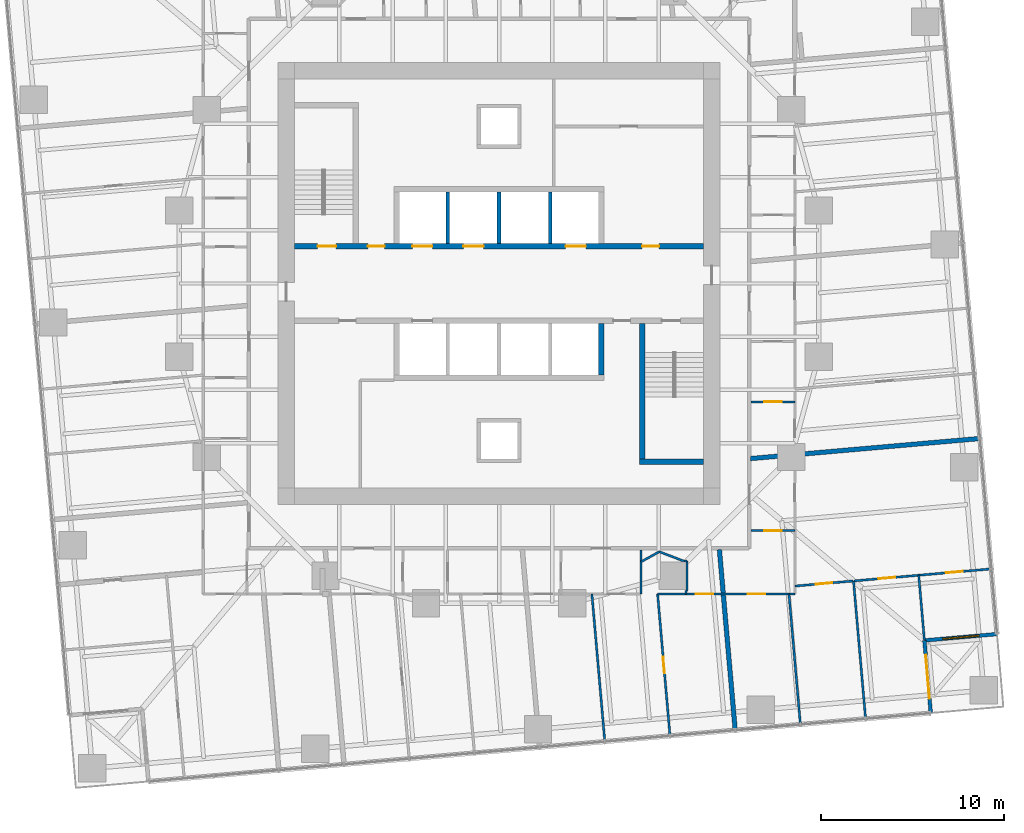
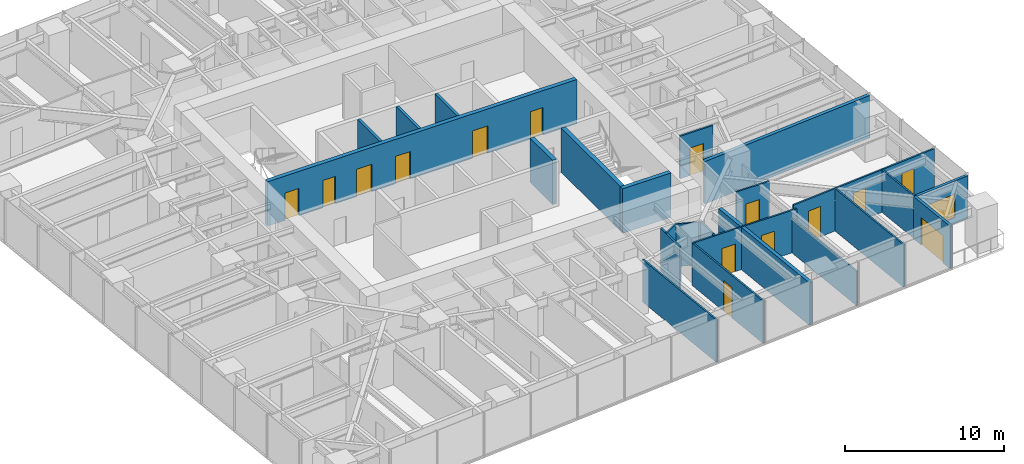
# One storey, part 10 of 14: 27 walls, 15 doors, 1 window, 16 openings.
"""IFC4 building model written with IfcOpenShell, lengths in metres."""

from ifc_helpers import new_model, si_unit, direction, frame, frame_2d, origin, place, context, subcontext, project, spatial, rectangle, extrude, material, layer, layer_set, type_object, element, fill, save


model = new_model("IFC4")

# Units and contexts
model_context = context("Model", 3, precision=1e-05, world=origin(), true_north=direction((0.0, 1.0)))
body_context = subcontext(model_context, "Body", "Model", "MODEL_VIEW")
ifc_project = project(units=[si_unit("LENGTHUNIT", "METRE"), si_unit("AREAUNIT", "SQUARE_METRE"), si_unit("VOLUMEUNIT", "CUBIC_METRE"), si_unit("PLANEANGLEUNIT", "RADIAN"), si_unit("MASSUNIT", "GRAM", prefix="KILO")], contexts=[model_context])

# Site, building, storey
site_placement = place(None, origin())
site = spatial("IfcSite", under=ifc_project, at=site_placement, CompositionType="ELEMENT")
building_placement = place(site_placement, origin())
building = spatial("IfcBuilding", under=site, at=building_placement, Name="Torsade Residences", CompositionType="ELEMENT")
storey_placement = place(building_placement, frame((0.0, 0.0, 60.800048828125)))
storey = spatial("IfcBuildingStorey", under=building, at=storey_placement, Name="L16", CompositionType="ELEMENT", Elevation=60.800048828125)

# Wall, openings, doors
ifc_material_1 = material(Name="Concrete 80 MPa", Category="concrete")
ifc_layer_1 = layer(ifc_material_1, 0.300048828125)
ifc_layer_set_1 = layer_set([ifc_layer_1], Name="Concrete 80 MPa")
wall_type_1 = type_object("IfcWallType", Name="CORE INTERNAL WALL 300", PredefinedType="SHEAR", material=ifc_layer_set_1)
wall_1_placement = place(storey_placement, frame((28.800048828125, 32.050048828125, 0.0), z_axis=(0.0, 0.0, 1.0), x_axis=(1.0, 0.0, 0.0)))
wall_1 = element("IfcWall", 1, at=wall_1_placement, inside=storey, type_object=wall_type_1, Name="Core wall LN L16", PredefinedType="SHEAR", context=body_context, shape_type="SweptSolid", body=[
    extrude(rectangle(XDim=22.39990234375, YDim=0.300048828125, at=frame_2d((11.199951171875, 0.0))), origin(), (0.0, 0.0, 1.0), 3.39990234375),
])
opening_1_placement = place(wall_1_placement, frame((19.0400390625, 0.0, 0.0)))
opening_1 = element("IfcOpeningElement", 2, at=opening_1_placement, cuts=wall_1, Name="Opening D06", PredefinedType="OPENING", context=body_context, shape_type="SweptSolid", body=[
    extrude(rectangle(XDim=0.919921875, YDim=2.10009765625, at=frame_2d((0.4599609375, 1.050048828125))), frame((0.0, 0.159912109375, 0.0), z_axis=(0.0, -1.0, 0.0), x_axis=(1.0, 0.0, 0.0)), (0.0, 0.0, 1.0), 0.320068359375),
])
opening_2_placement = place(wall_1_placement, frame((1.264892578125, 0.0, 0.0)))
opening_2 = element("IfcOpeningElement", 3, at=opening_2_placement, cuts=wall_1, Name="Opening D03", PredefinedType="OPENING", context=body_context, shape_type="SweptSolid", body=[
    extrude(rectangle(XDim=1.02001953125, YDim=2.10009765625, at=frame_2d((0.510009765625, 1.050048828125))), frame((0.0, 0.159912109375, 0.0), z_axis=(0.0, -1.0, 0.0), x_axis=(1.0, 0.0, 0.0)), (0.0, 0.0, 1.0), 0.320068359375),
])
opening_3_placement = place(wall_1_placement, frame((4.014892578125, 0.0, 0.0)))
opening_3 = element("IfcOpeningElement", 4, at=opening_3_placement, cuts=wall_1, Name="Opening D06", PredefinedType="OPENING", context=body_context, shape_type="SweptSolid", body=[
    extrude(rectangle(XDim=0.919921875, YDim=2.10009765625, at=frame_2d((0.4599609375, 1.050048828125))), frame((0.0, 0.159912109375, 0.0), z_axis=(0.0, -1.0, 0.0), x_axis=(1.0, 0.0, 0.0)), (0.0, 0.0, 1.0), 0.320068359375),
])
opening_4_placement = place(wall_1_placement, frame((6.449951171875, 0.0, 0.0)))
opening_4 = element("IfcOpeningElement", 5, at=opening_4_placement, cuts=wall_1, Name="Opening LD", PredefinedType="OPENING", context=body_context, shape_type="SweptSolid", body=[
    extrude(rectangle(XDim=1.10009765625, YDim=2.10009765625, at=frame_2d((0.550048828125, 1.050048828125))), frame((0.0, 0.159912109375, 0.0), z_axis=(0.0, -1.0, 0.0), x_axis=(1.0, 0.0, 0.0)), (0.0, 0.0, 1.0), 0.320068359375),
])
opening_5_placement = place(wall_1_placement, frame((9.25, 0.0, 0.0)))
opening_5 = element("IfcOpeningElement", 6, at=opening_5_placement, cuts=wall_1, Name="Opening LD", PredefinedType="OPENING", context=body_context, shape_type="SweptSolid", body=[
    extrude(rectangle(XDim=1.10009765625, YDim=2.10009765625, at=frame_2d((0.550048828125, 1.050048828125))), frame((0.0, 0.159912109375, 0.0), z_axis=(0.0, -1.0, 0.0), x_axis=(1.0, 0.0, 0.0)), (0.0, 0.0, 1.0), 0.320068359375),
])
opening_6_placement = place(wall_1_placement, frame((14.85009765625, 0.0, 0.0)))
opening_6 = element("IfcOpeningElement", 7, at=opening_6_placement, cuts=wall_1, Name="Opening LD", PredefinedType="OPENING", context=body_context, shape_type="SweptSolid", body=[
    extrude(rectangle(XDim=1.10009765625, YDim=2.10009765625, at=frame_2d((0.550048828125, 1.050048828125))), frame((0.0, 0.159912109375, 0.0), z_axis=(0.0, -1.0, 0.0), x_axis=(1.0, 0.0, 0.0)), (0.0, 0.0, 1.0), 0.320068359375),
])
ifc_material_2 = material(Name="Steel-framed fire door", Category="steel")
door_type_1 = type_object("IfcDoorType", Name="FIRE DOOR 1020", OperationType="NOTDEFINED", PredefinedType="DOOR", material=ifc_material_2)
door_1_placement = place(opening_2_placement, origin())
door_1 = element("IfcDoor", 8, at=door_1_placement, inside=storey, type_object=door_type_1, Name="Exit door to fire-isolated stair ST1 L16", OperationType="SINGLE_SWING_RIGHT", OverallHeight=2.10009765625, OverallWidth=1.02001953125, PredefinedType="DOOR", context=body_context, shape_type="SweptSolid", body=[
    extrude(rectangle(XDim=1.02001953125, YDim=2.10009765625, at=frame_2d((0.510009765625, 1.050048828125))), frame((0.0, 0.02490234375, 0.0), z_axis=(0.0, -1.0, 0.0), x_axis=(1.0, 0.0, 0.0)), (0.0, 0.0, 1.0), 0.050048828125),
])
fill(opening_2, door_1)
ifc_material_3 = material(Name="Steel-framed fire door", Category="steel")
door_type_2 = type_object("IfcDoorType", Name="FIRE DOOR 920", OperationType="NOTDEFINED", PredefinedType="DOOR", material=ifc_material_3)
door_2_placement = place(opening_1_placement, origin())
door_2 = element("IfcDoor", 9, at=door_2_placement, inside=storey, type_object=door_type_2, Name="Door Lift lobby to Refuse room", OperationType="SINGLE_SWING_LEFT", OverallHeight=2.10009765625, OverallWidth=0.919921875, PredefinedType="DOOR", context=body_context, shape_type="SweptSolid", body=[
    extrude(rectangle(XDim=0.919921875, YDim=2.10009765625, at=frame_2d((0.4599609375, 1.050048828125))), frame((0.0, 0.02490234375, 0.0), z_axis=(0.0, -1.0, 0.0), x_axis=(1.0, 0.0, 0.0)), (0.0, 0.0, 1.0), 0.050048828125),
])
fill(opening_1, door_2)
door_3_placement = place(opening_3_placement, origin())
door_3 = element("IfcDoor", 10, at=door_3_placement, inside=storey, type_object=door_type_2, Name="Door Lift lobby to Electrical riser room", OperationType="SINGLE_SWING_LEFT", OverallHeight=2.10009765625, OverallWidth=0.919921875, PredefinedType="DOOR", context=body_context, shape_type="SweptSolid", body=[
    extrude(rectangle(XDim=0.919921875, YDim=2.10009765625, at=frame_2d((0.4599609375, 1.050048828125))), frame((0.0, 0.02490234375, 0.0), z_axis=(0.0, -1.0, 0.0), x_axis=(1.0, 0.0, 0.0)), (0.0, 0.0, 1.0), 0.050048828125),
])
fill(opening_3, door_3)
ifc_material_4 = material(Name="Stainless steel lift landing door", Category="steel")
door_type_3 = type_object("IfcDoorType", Name="LIFT LANDING DOOR 1100", OperationType="SLIDING_TO_LEFT", PredefinedType="DOOR", material=ifc_material_4)
door_4_placement = place(opening_4_placement, origin())
door_4 = element("IfcDoor", 11, at=door_4_placement, inside=storey, type_object=door_type_3, Name="Lift LA1 landing door L16", OperationType="SLIDING_TO_LEFT", OverallHeight=2.10009765625, OverallWidth=1.10009765625, PredefinedType="DOOR", context=body_context, shape_type="SweptSolid", body=[
    extrude(rectangle(XDim=1.10009765625, YDim=2.10009765625, at=frame_2d((0.550048828125, 1.050048828125))), frame((0.0, 0.02490234375, 0.0), z_axis=(0.0, -1.0, 0.0), x_axis=(1.0, 0.0, 0.0)), (0.0, 0.0, 1.0), 0.050048828125),
])
fill(opening_4, door_4)
door_5_placement = place(opening_5_placement, origin())
door_5 = element("IfcDoor", 12, at=door_5_placement, inside=storey, type_object=door_type_3, Name="Lift LA2 landing door L16", OperationType="SLIDING_TO_LEFT", OverallHeight=2.10009765625, OverallWidth=1.10009765625, PredefinedType="DOOR", context=body_context, shape_type="SweptSolid", body=[
    extrude(rectangle(XDim=1.10009765625, YDim=2.10009765625, at=frame_2d((0.550048828125, 1.050048828125))), frame((0.0, 0.02490234375, 0.0), z_axis=(0.0, -1.0, 0.0), x_axis=(1.0, 0.0, 0.0)), (0.0, 0.0, 1.0), 0.050048828125),
])
fill(opening_5, door_5)
door_6_placement = place(opening_6_placement, origin())
door_6 = element("IfcDoor", 13, at=door_6_placement, inside=storey, type_object=door_type_3, Name="Lift FL1 landing door L16", OperationType="SLIDING_TO_LEFT", OverallHeight=2.10009765625, OverallWidth=1.10009765625, PredefinedType="DOOR", context=body_context, shape_type="SweptSolid", body=[
    extrude(rectangle(XDim=1.10009765625, YDim=2.10009765625, at=frame_2d((0.550048828125, 1.050048828125))), frame((0.0, 0.02490234375, 0.0), z_axis=(0.0, -1.0, 0.0), x_axis=(1.0, 0.0, 0.0)), (0.0, 0.0, 1.0), 0.050048828125),
])
fill(opening_6, door_6)

# Walls
wall_2_placement = place(storey_placement, frame((45.60009765625, 27.800048828125, 0.0), z_axis=(0.0, 0.0, 1.0), x_axis=(0.0, -1.0, 0.0)))
element("IfcWall", 14, at=wall_2_placement, inside=storey, type_object=wall_type_1, Name="Core wall DS0 L16", PredefinedType="SHEAR", context=body_context, shape_type="SweptSolid", body=[
    extrude(rectangle(XDim=2.800048828125, YDim=0.300048828125, at=frame_2d((1.39990234375, 0.0))), origin(), (0.0, 0.0, 1.0), 3.39990234375),
])
wall_3_placement = place(storey_placement, frame((47.85009765625, 27.800048828125, 0.0), z_axis=(0.0, 0.0, 1.0), x_axis=(0.0, -1.0, 0.0)))
element("IfcWall", 15, at=wall_3_placement, inside=storey, type_object=wall_type_1, Name="Core wall ST2W L16", PredefinedType="SHEAR", context=body_context, shape_type="SweptSolid", body=[
    extrude(rectangle(XDim=7.699951171875, YDim=0.300048828125, at=frame_2d((3.85009765625, 0.0))), origin(), (0.0, 0.0, 1.0), 3.39990234375),
])
wall_4_placement = place(storey_placement, frame((51.199951171875, 20.25, 0.0), z_axis=(0.0, 0.0, 1.0), x_axis=(-1.0, 0.0, 0.0)))
element("IfcWall", 16, at=wall_4_placement, inside=storey, type_object=wall_type_1, Name="Core wall ST2S L16", PredefinedType="SHEAR", context=body_context, shape_type="SweptSolid", body=[
    extrude(rectangle(XDim=3.5, YDim=0.300048828125, at=frame_2d((1.75, 0.0))), origin(), (0.0, 0.0, 1.0), 3.39990234375),
])
ifc_material_5 = material(Name="Reinforced blockwork", Category="masonry")
ifc_layer_2 = layer(ifc_material_5, 0.199951171875)
ifc_layer_set_2 = layer_set([ifc_layer_2], Name="Reinforced blockwork")
wall_type_2 = type_object("IfcWallType", Name="LIFT SHAFT DIVIDING WALL 200", PredefinedType="SOLIDWALL", material=ifc_layer_set_2)
for number, where, z_axis, x_axis, name in (
    (17, (37.199951171875, 32.199951171875, 0.0), (0.0, 0.0, 1.0), (0.0, 1.0, 0.0), "Core wall DN1 L16"),
    (18, (40.0, 32.199951171875, 0.0), (0.0, 0.0, 1.0), (0.0, 1.0, 0.0), "Core wall DN2 L16"),
    (19, (42.800048828125, 32.199951171875, 0.0), (0.0, 0.0, 1.0), (0.0, 1.0, 0.0), "Core wall DN3 L16"),
):
    element("IfcWall", number, at=place(storey_placement, frame(where, z_axis=z_axis, x_axis=x_axis)), inside=storey, type_object=wall_type_2, Name=name, PredefinedType="SOLIDWALL", context=body_context, shape_type="SweptSolid", body=[
        extrude(rectangle(XDim=2.800048828125, YDim=0.199951171875, at=frame_2d((1.39990234375, 0.0))), origin(), (0.0, 0.0, 1.0), 3.39990234375),
    ])
ifc_material_6 = material(Name="Plasterboard on steel stud", Category="steel")
ifc_layer_3 = layer(ifc_material_6, 0.1201171875)
ifc_layer_set_3 = layer_set([ifc_layer_3], Name="Plasterboard on steel stud")
wall_type_3 = type_object("IfcWallType", Name="PARTITION 120", PredefinedType="PARTITIONING", material=ifc_layer_set_3)
wall_5_placement = place(storey_placement, frame((47.7783203125, 15.39990234375, 0.0), z_axis=(0.0, 0.0, 1.0), x_axis=(0.0, -1.0, 0.0)))
element("IfcWall", 20, at=wall_5_placement, inside=storey, type_object=wall_type_3, Name="Partition L16", PredefinedType="PARTITIONING", context=body_context, shape_type="SweptSolid", body=[
    extrude(rectangle(XDim=2.39990234375, YDim=0.1201171875, at=frame_2d((1.199951171875, 0.0))), origin(), (0.0, 0.0, 1.0), 3.25),
])
wall_6_placement = place(storey_placement, frame((50.23876953125, 13.0, 0.0), z_axis=(0.0, 0.0, 1.0), x_axis=(0.045131013234, 0.99898107672, 0.0)))
element("IfcWall", 21, at=wall_6_placement, inside=storey, type_object=wall_type_3, Name="Partition L16", PredefinedType="PARTITIONING", context=body_context, shape_type="SweptSolid", body=[
    extrude(rectangle(XDim=0.2001953125, YDim=0.1201171875, at=frame_2d((0.10009765625, 0.0))), origin(), (0.0, 0.0, 1.0), 3.25),
])
wall_7_placement = place(storey_placement, frame((50.300048828125, 13.199951171875, 0.0), z_axis=(0.0, 0.0, 1.0), x_axis=(0.0, 1.0, 0.0)))
element("IfcWall", 22, at=wall_7_placement, inside=storey, type_object=wall_type_3, Name="Partition L16", PredefinedType="PARTITIONING", context=body_context, shape_type="SweptSolid", body=[
    extrude(rectangle(XDim=1.60009765625, YDim=0.1201171875, at=frame_2d((0.800048828125, 0.0))), origin(), (0.0, 0.0, 1.0), 3.25),
])
wall_8_placement = place(storey_placement, frame((50.119140625, 14.800048828125, 0.0), z_axis=(0.0, 0.0, 1.0), x_axis=(-0.934135067997, 0.356919703488, 0.0)))
element("IfcWall", 23, at=wall_8_placement, inside=storey, type_object=wall_type_3, Name="Partition L16", PredefinedType="PARTITIONING", context=body_context, shape_type="SweptSolid", body=[
    extrude(rectangle(XDim=1.4384765625, YDim=0.1201171875, at=frame_2d((0.71923828125, 0.0))), origin(), (0.0, 0.0, 1.0), 3.25),
])
wall_9_placement = place(storey_placement, frame((48.775390625, 15.3134765625, 0.0), z_axis=(0.0, 0.0, 1.0), x_axis=(-0.875508887439, -0.483202015741, 0.0)))
element("IfcWall", 24, at=wall_9_placement, inside=storey, type_object=wall_type_3, Name="Partition L16", PredefinedType="PARTITIONING", context=body_context, shape_type="SweptSolid", body=[
    extrude(rectangle(XDim=1.138916015625, YDim=0.1201171875, at=frame_2d((0.5693359375, 0.0))), origin(), (0.0, 0.0, 1.0), 3.25),
])

# Wall, openings, doors
wall_10_placement = place(storey_placement, frame((56.199951171875, 13.0, 0.0), z_axis=(0.0, 0.0, 1.0), x_axis=(-1.0, 0.0, 0.0)))
wall_10 = element("IfcWall", 25, at=wall_10_placement, inside=storey, type_object=wall_type_3, Name="Partition L16", PredefinedType="PARTITIONING", context=body_context, shape_type="SweptSolid", body=[
    extrude(rectangle(XDim=7.5185546875, YDim=0.1201171875, at=frame_2d((3.75927734375, 0.0))), origin(), (0.0, 0.0, 1.0), 3.25),
])
opening_7_placement = place(wall_10_placement, frame((1.617919921875, 0.0, 0.0)))
opening_7 = element("IfcOpeningElement", 26, at=opening_7_placement, cuts=wall_10, Name="Opening D05", PredefinedType="OPENING", context=body_context, shape_type="SweptSolid", body=[
    extrude(rectangle(XDim=0.9599609375, YDim=2.10009765625, at=frame_2d((0.47998046875, 1.050048828125))), frame((0.0, 0.070068359375, 0.0), z_axis=(0.0, -1.0, 0.0), x_axis=(1.0, 0.0, 0.0)), (0.0, 0.0, 1.0), 0.14013671875),
])
opening_8_placement = place(wall_10_placement, frame((4.46142578125, 0.0, 0.0)))
opening_8 = element("IfcOpeningElement", 27, at=opening_8_placement, cuts=wall_10, Name="Opening D05", PredefinedType="OPENING", context=body_context, shape_type="SweptSolid", body=[
    extrude(rectangle(XDim=0.9599609375, YDim=2.10009765625, at=frame_2d((0.47998046875, 1.050048828125))), frame((0.0, 0.070068359375, 0.0), z_axis=(0.0, -1.0, 0.0), x_axis=(1.0, 0.0, 0.0)), (0.0, 0.0, 1.0), 0.14013671875),
])
ifc_material_7 = material(Name="Hollow-core timber door in a steel cavity frame", Category="steel")
door_type_4 = type_object("IfcDoorType", Name="BATHROOM CAVITY SLIDING DOOR 960", OperationType="SLIDING_TO_LEFT", PredefinedType="DOOR", material=ifc_material_7)
door_7_placement = place(opening_7_placement, origin())
door_7 = element("IfcDoor", 28, at=door_7_placement, inside=storey, type_object=door_type_4, Name="Door Bathroom to Study", OperationType="SLIDING_TO_LEFT", OverallHeight=2.10009765625, OverallWidth=0.9599609375, PredefinedType="DOOR", context=body_context, shape_type="SweptSolid", body=[
    extrude(rectangle(XDim=0.9599609375, YDim=2.10009765625, at=frame_2d((0.47998046875, 1.050048828125))), frame((0.0, 0.02490234375, 0.0), z_axis=(0.0, -1.0, 0.0), x_axis=(1.0, 0.0, 0.0)), (0.0, 0.0, 1.0), 0.050048828125),
])
fill(opening_7, door_7)
door_8_placement = place(opening_8_placement, origin())
door_8 = element("IfcDoor", 29, at=door_8_placement, inside=storey, type_object=door_type_4, Name="Door Bedroom 2 to Bathroom", OperationType="SLIDING_TO_LEFT", OverallHeight=2.10009765625, OverallWidth=0.9599609375, PredefinedType="DOOR", context=body_context, shape_type="SweptSolid", body=[
    extrude(rectangle(XDim=0.9599609375, YDim=2.10009765625, at=frame_2d((0.47998046875, 1.050048828125))), frame((0.0, 0.02490234375, 0.0), z_axis=(0.0, -1.0, 0.0), x_axis=(1.0, 0.0, 0.0)), (0.0, 0.0, 1.0), 0.050048828125),
])
fill(opening_8, door_8)

# Wall
wall_11_placement = place(storey_placement, frame((45.084228515625, 13.0, 0.0), z_axis=(0.0, 0.0, 1.0), x_axis=(0.087184938313, -0.99619214338, 0.0)))
element("IfcWall", 30, at=wall_11_placement, inside=storey, type_object=wall_type_3, Name="Partition L16", PredefinedType="PARTITIONING", context=body_context, shape_type="SweptSolid", body=[
    extrude(rectangle(XDim=8.08154296875, YDim=0.1201171875, at=frame_2d((4.040771484375, 0.0))), origin(), (0.0, 0.0, 1.0), 3.25),
])

# Wall, opening, door
wall_12_placement = place(storey_placement, frame((48.681396484375, 13.0, 0.0), z_axis=(0.0, 0.0, 1.0), x_axis=(0.0871517452, -0.996195047824, 0.0)))
wall_12 = element("IfcWall", 31, at=wall_12_placement, inside=storey, type_object=wall_type_3, Name="Partition L16", PredefinedType="PARTITIONING", context=body_context, shape_type="SweptSolid", body=[
    extrude(rectangle(XDim=7.76806640625, YDim=0.1201171875, at=frame_2d((3.884033203125, 0.0))), origin(), (0.0, 0.0, 1.0), 3.25),
])
opening_9_placement = place(wall_12_placement, frame((3.444091796875, 0.0, 0.0)))
opening_9 = element("IfcOpeningElement", 32, at=opening_9_placement, cuts=wall_12, Name="Opening D02", PredefinedType="OPENING", context=body_context, shape_type="SweptSolid", body=[
    extrude(rectangle(XDim=0.919921875, YDim=2.340087890625, at=frame_2d((0.4599609375, 1.169921875))), frame((0.0, 0.070068359375, 0.0), z_axis=(0.0, -1.0, 0.0), x_axis=(1.0, 0.0, 0.0)), (0.0, 0.0, 1.0), 0.14013671875),
])
ifc_material_8 = material(Name="Hollow-core timber door", Category="wood")
door_type_5 = type_object("IfcDoorType", Name="INTERNAL DOOR 920x2340", OperationType="NOTDEFINED", PredefinedType="DOOR", material=ifc_material_8)
door_9_placement = place(opening_9_placement, origin())
door_9 = element("IfcDoor", 33, at=door_9_placement, inside=storey, type_object=door_type_5, Name="Door Bedroom 1 to Bedroom 2", OperationType="SINGLE_SWING_LEFT", OverallHeight=2.340087890625, OverallWidth=0.919921875, PredefinedType="DOOR", context=body_context, shape_type="SweptSolid", body=[
    extrude(rectangle(XDim=0.919921875, YDim=2.340087890625, at=frame_2d((0.4599609375, 1.169921875))), frame((0.0, 0.02490234375, 0.0), z_axis=(0.0, -1.0, 0.0), x_axis=(1.0, 0.0, 0.0)), (0.0, 0.0, 1.0), 0.050048828125),
])
fill(opening_9, door_9)

wall_13_placement = place(storey_placement, frame((56.199951171875, 16.469970703125, 0.0), z_axis=(0.0, 0.0, 1.0), x_axis=(-1.0, 0.0, 0.0)))
wall_13 = element("IfcWall", 34, at=wall_13_placement, inside=storey, type_object=wall_type_3, Name="Partition L16", PredefinedType="PARTITIONING", context=body_context, shape_type="SweptSolid", body=[
    extrude(rectangle(XDim=2.39990234375, YDim=0.1201171875, at=frame_2d((1.199951171875, 0.0))), origin(), (0.0, 0.0, 1.0), 3.25),
])
opening_10_placement = place(wall_13_placement, frame((0.719970703125, 0.0, 0.0)))
opening_10 = element("IfcOpeningElement", 35, at=opening_10_placement, cuts=wall_13, Name="Opening D05", PredefinedType="OPENING", context=body_context, shape_type="SweptSolid", body=[
    extrude(rectangle(XDim=0.9599609375, YDim=2.10009765625, at=frame_2d((0.47998046875, 1.050048828125))), frame((0.0, 0.070068359375, 0.0), z_axis=(0.0, -1.0, 0.0), x_axis=(1.0, 0.0, 0.0)), (0.0, 0.0, 1.0), 0.14013671875),
])
door_10_placement = place(opening_10_placement, origin())
door_10 = element("IfcDoor", 36, at=door_10_placement, inside=storey, type_object=door_type_4, Name="Door Kitchen and dining to Bathroom", OperationType="SLIDING_TO_LEFT", OverallHeight=2.10009765625, OverallWidth=0.9599609375, PredefinedType="DOOR", context=body_context, shape_type="SweptSolid", body=[
    extrude(rectangle(XDim=0.9599609375, YDim=2.10009765625, at=frame_2d((0.47998046875, 1.050048828125))), frame((0.0, 0.02490234375, 0.0), z_axis=(0.0, -1.0, 0.0), x_axis=(1.0, 0.0, 0.0)), (0.0, 0.0, 1.0), 0.050048828125),
])
fill(opening_10, door_10)

# Wall
wall_14_placement = place(storey_placement, frame((60.0673828125, 6.198486328125, 0.0), z_axis=(0.0, 0.0, 1.0), x_axis=(-0.087161730761, 0.99619417419, 0.0)))
element("IfcWall", 37, at=wall_14_placement, inside=storey, type_object=wall_type_3, Name="Partition L16", PredefinedType="PARTITIONING", context=body_context, shape_type="SweptSolid", body=[
    extrude(rectangle(XDim=7.543212890625, YDim=0.1201171875, at=frame_2d((3.771484375, 0.0))), origin(), (0.0, 0.0, 1.0), 3.25),
])

# Wall, openings, doors
wall_15_placement = place(storey_placement, frame((66.924560546875, 14.37060546875, 0.0), z_axis=(0.0, 0.0, 1.0), x_axis=(-0.996192271243, -0.087183477305, 0.0)))
wall_15 = element("IfcWall", 38, at=wall_15_placement, inside=storey, type_object=wall_type_3, Name="Partition L16", PredefinedType="PARTITIONING", context=body_context, shape_type="SweptSolid", body=[
    extrude(rectangle(XDim=7.51318359375, YDim=0.1201171875, at=frame_2d((3.756591796875, 0.0))), origin(), (0.0, 0.0, 1.0), 3.25),
])
opening_11_placement = place(wall_15_placement, frame((1.5400390625, 0.0, 0.0)))
opening_11 = element("IfcOpeningElement", 39, at=opening_11_placement, cuts=wall_15, Name="Opening D02", PredefinedType="OPENING", context=body_context, shape_type="SweptSolid", body=[
    extrude(rectangle(XDim=0.919921875, YDim=2.340087890625, at=frame_2d((0.4599609375, 1.169921875))), frame((0.0, 0.070068359375, 0.0), z_axis=(0.0, -1.0, 0.0), x_axis=(1.0, 0.0, 0.0)), (0.0, 0.0, 1.0), 0.14013671875),
])
opening_12_placement = place(wall_15_placement, frame((5.251708984375, 0.0, 0.0)))
opening_12 = element("IfcOpeningElement", 40, at=opening_12_placement, cuts=wall_15, Name="Opening D02", PredefinedType="OPENING", context=body_context, shape_type="SweptSolid", body=[
    extrude(rectangle(XDim=0.919921875, YDim=2.340087890625, at=frame_2d((0.4599609375, 1.169921875))), frame((0.0, 0.070068359375, 0.0), z_axis=(0.0, -1.0, 0.0), x_axis=(1.0, 0.0, 0.0)), (0.0, 0.0, 1.0), 0.14013671875),
])
door_11_placement = place(opening_11_placement, origin())
door_11 = element("IfcDoor", 41, at=door_11_placement, inside=storey, type_object=door_type_5, Name="Door Living room to Family room", OperationType="SINGLE_SWING_RIGHT", OverallHeight=2.340087890625, OverallWidth=0.919921875, PredefinedType="DOOR", context=body_context, shape_type="SweptSolid", body=[
    extrude(rectangle(XDim=0.919921875, YDim=2.340087890625, at=frame_2d((0.4599609375, 1.169921875))), frame((0.0, 0.02490234375, 0.0), z_axis=(0.0, -1.0, 0.0), x_axis=(1.0, 0.0, 0.0)), (0.0, 0.0, 1.0), 0.050048828125),
])
fill(opening_11, door_11)
door_12_placement = place(opening_12_placement, origin())
door_12 = element("IfcDoor", 42, at=door_12_placement, inside=storey, type_object=door_type_5, Name="Door Living room to Bedroom 1", OperationType="SINGLE_SWING_LEFT", OverallHeight=2.340087890625, OverallWidth=0.919921875, PredefinedType="DOOR", context=body_context, shape_type="SweptSolid", body=[
    extrude(rectangle(XDim=0.919921875, YDim=2.340087890625, at=frame_2d((0.4599609375, 1.169921875))), frame((0.0, 0.02490234375, 0.0), z_axis=(0.0, -1.0, 0.0), x_axis=(1.0, 0.0, 0.0)), (0.0, 0.0, 1.0), 0.050048828125),
])
fill(opening_12, door_12)

# Wall, opening, door
wall_16_placement = place(storey_placement, frame((59.380126953125, 13.71044921875, 0.0), z_axis=(0.0, 0.0, 1.0), x_axis=(-0.996197121005, -0.087128044293, 0.0)))
wall_16 = element("IfcWall", 43, at=wall_16_placement, inside=storey, type_object=wall_type_3, Name="Partition L16", PredefinedType="PARTITIONING", context=body_context, shape_type="SweptSolid", body=[
    extrude(rectangle(XDim=3.191650390625, YDim=0.1201171875, at=frame_2d((1.595703125, 0.0))), origin(), (0.0, 0.0, 1.0), 3.25),
])
opening_13_placement = place(wall_16_placement, frame((1.1357421875, 0.0, 0.0)))
opening_13 = element("IfcOpeningElement", 44, at=opening_13_placement, cuts=wall_16, Name="Opening D02", PredefinedType="OPENING", context=body_context, shape_type="SweptSolid", body=[
    extrude(rectangle(XDim=0.919921875, YDim=2.340087890625, at=frame_2d((0.4599609375, 1.169921875))), frame((0.0, 0.070068359375, 0.0), z_axis=(0.0, -1.0, 0.0), x_axis=(1.0, 0.0, 0.0)), (0.0, 0.0, 1.0), 0.14013671875),
])
door_13_placement = place(opening_13_placement, origin())
door_13 = element("IfcDoor", 45, at=door_13_placement, inside=storey, type_object=door_type_5, Name="Door Living room to Bedroom 2", OperationType="SINGLE_SWING_LEFT", OverallHeight=2.340087890625, OverallWidth=0.919921875, PredefinedType="DOOR", context=body_context, shape_type="SweptSolid", body=[
    extrude(rectangle(XDim=0.919921875, YDim=2.340087890625, at=frame_2d((0.4599609375, 1.169921875))), frame((0.0, 0.02490234375, 0.0), z_axis=(0.0, -1.0, 0.0), x_axis=(1.0, 0.0, 0.0)), (0.0, 0.0, 1.0), 0.050048828125),
])
fill(opening_13, door_13)

# Walls
wall_17_placement = place(storey_placement, frame((62.979736328125, 14.025390625, 0.0), z_axis=(0.0, 0.0, 1.0), x_axis=(0.087161821847, -0.996194166221, 0.0)))
element("IfcWall", 46, at=wall_17_placement, inside=storey, type_object=wall_type_3, Name="Partition L16", PredefinedType="PARTITIONING", context=body_context, shape_type="SweptSolid", body=[
    extrude(rectangle(XDim=3.543212890625, YDim=0.1201171875, at=frame_2d((1.771484375, 0.0))), origin(), (0.0, 0.0, 1.0), 3.25),
])
wall_18_placement = place(storey_placement, frame((56.497802734375, 5.88623046875, 0.0), z_axis=(0.0, 0.0, 1.0), x_axis=(-0.087147441029, 0.996195424363, 0.0)))
element("IfcWall", 47, at=wall_18_placement, inside=storey, type_object=wall_type_3, Name="Partition L16", PredefinedType="PARTITIONING", context=body_context, shape_type="SweptSolid", body=[
    extrude(rectangle(XDim=7.140869140625, YDim=0.1201171875, at=frame_2d((3.5703125, 0.0))), origin(), (0.0, 0.0, 1.0), 2.637939453125),
])

# Wall, opening, door
wall_19_placement = place(storey_placement, frame((56.199951171875, 23.51953125, 0.0), z_axis=(0.0, 0.0, 1.0), x_axis=(-1.0, 0.0, 0.0)))
wall_19 = element("IfcWall", 48, at=wall_19_placement, inside=storey, type_object=wall_type_3, Name="Partition L16", PredefinedType="PARTITIONING", context=body_context, shape_type="SweptSolid", body=[
    extrude(rectangle(XDim=2.39990234375, YDim=0.1201171875, at=frame_2d((1.199951171875, 0.0))), origin(), (0.0, 0.0, 1.0), 3.25),
])
opening_14_placement = place(wall_19_placement, frame((0.719970703125, 0.0, 0.0)))
opening_14 = element("IfcOpeningElement", 49, at=opening_14_placement, cuts=wall_19, Name="Opening D05", PredefinedType="OPENING", context=body_context, shape_type="SweptSolid", body=[
    extrude(rectangle(XDim=0.9599609375, YDim=2.10009765625, at=frame_2d((0.47998046875, 1.050048828125))), frame((0.0, 0.070068359375, 0.0), z_axis=(0.0, -1.0, 0.0), x_axis=(1.0, 0.0, 0.0)), (0.0, 0.0, 1.0), 0.14013671875),
])
door_14_placement = place(opening_14_placement, origin())
door_14 = element("IfcDoor", 50, at=door_14_placement, inside=storey, type_object=door_type_4, Name="Door Bathroom to Ensuite", OperationType="SLIDING_TO_LEFT", OverallHeight=2.10009765625, OverallWidth=0.9599609375, PredefinedType="DOOR", context=body_context, shape_type="SweptSolid", body=[
    extrude(rectangle(XDim=0.9599609375, YDim=2.10009765625, at=frame_2d((0.47998046875, 1.050048828125))), frame((0.0, 0.02490234375, 0.0), z_axis=(0.0, -1.0, 0.0), x_axis=(1.0, 0.0, 0.0)), (0.0, 0.0, 1.0), 0.050048828125),
])
fill(opening_14, door_14)

# Walls
wall_20_placement = place(storey_placement, frame((50.300048828125, 14.800048828125, 0.0), z_axis=(0.0, 0.0, 1.0), x_axis=(-1.0, 0.0, 0.0)))
element("IfcWall", 51, at=wall_20_placement, inside=storey, type_object=wall_type_3, Name="Partition L16", PredefinedType="PARTITIONING", context=body_context, shape_type="SweptSolid", body=[
    extrude(rectangle(XDim=0.180908203125, YDim=0.1201171875, at=frame_2d((0.09033203125, 0.0))), origin(), (0.0, 0.0, 1.0), 3.25),
])
ifc_material_9 = material(Name="Masonry-lined stud party wall", Category="masonry")
ifc_layer_4 = layer(ifc_material_9, 0.25)
ifc_layer_set_4 = layer_set([ifc_layer_4], Name="Masonry-lined stud party wall")
wall_type_4 = type_object("IfcWallType", Name="PARTY WALL 250", PredefinedType="PARTITIONING", material=ifc_layer_set_4)
wall_21_placement = place(storey_placement, frame((66.33984375, 21.513427734375, 0.0), z_axis=(0.0, 0.0, 1.0), x_axis=(-0.996194851608, -0.087153988028, 0.0)))
element("IfcWall", 52, at=wall_21_placement, inside=storey, type_object=wall_type_4, Name="Party wall L16", PredefinedType="PARTITIONING", context=body_context, shape_type="SweptSolid", body=[
    extrude(rectangle(XDim=12.616943359375, YDim=0.25, at=frame_2d((6.30859375, 0.0))), origin(), (0.0, 0.0, 1.0), 3.25),
])
wall_22_placement = place(storey_placement, frame((52.931640625, 5.533935546875, 0.0), z_axis=(0.0, 0.0, 1.0), x_axis=(-0.087157803114, 0.996194517831, 0.0)))
element("IfcWall", 53, at=wall_22_placement, inside=storey, type_object=wall_type_4, Name="Party wall L16", PredefinedType="PARTITIONING", context=body_context, shape_type="SweptSolid", body=[
    extrude(rectangle(XDim=9.932861328125, YDim=0.25, at=frame_2d((4.96630859375, 0.0))), origin(), (0.0, 0.0, 1.0), 3.25),
])

# Wall, opening, door
ifc_material_10 = material(Name="Stone-faced precast concrete 40 MPa panel", Category="masonry")
ifc_layer_5 = layer(ifc_material_10, 0.199951171875)
ifc_layer_set_5 = layer_set([ifc_layer_5], Name="Stone-faced precast concrete 40 MPa panel")
wall_type_5 = type_object("IfcWallType", Name="TERRACE WALL 200", PredefinedType="SOLIDWALL", material=ifc_layer_set_5)
wall_23_placement = place(storey_placement, frame((63.640625, 6.470947265625, 0.0), z_axis=(0.0, 0.0, 1.0), x_axis=(-0.087161650072, 0.99619418125, 0.0)))
wall_23 = element("IfcWall", 54, at=wall_23_placement, inside=storey, type_object=wall_type_5, Name="Terrace wall L16 2", PredefinedType="SOLIDWALL", context=body_context, shape_type="SweptSolid", body=[
    extrude(rectangle(XDim=3.999755859375, YDim=0.199951171875, at=frame_2d((2.0, 0.0))), origin(), (0.0, 0.0, 1.0), 3.25),
])
opening_15_placement = place(wall_23_placement, frame((0.800048828125, 0.0, 0.0)))
opening_15 = element("IfcOpeningElement", 55, at=opening_15_placement, cuts=wall_23, Name="Opening D10A", PredefinedType="OPENING", context=body_context, shape_type="SweptSolid", body=[
    extrude(rectangle(XDim=2.39990234375, YDim=2.10009765625, at=frame_2d((1.199951171875, 1.050048828125))), frame((0.0, 0.10986328125, 0.0), z_axis=(0.0, -1.0, 0.0), x_axis=(1.0, 0.0, 0.0)), (0.0, 0.0, 1.0), 0.219970703125),
])
ifc_material_11 = material(Name="Aluminium-framed glass door", Category="aluminium")
door_type_6 = type_object("IfcDoorType", Name="TERRACE SLIDING DOOR 2400x2100", OperationType="SLIDING_TO_LEFT", PredefinedType="DOOR", material=ifc_material_11)
door_15_placement = place(opening_15_placement, origin())
door_15 = element("IfcDoor", 56, at=door_15_placement, inside=storey, type_object=door_type_6, Name="Terrace door L16 2", OperationType="SLIDING_TO_LEFT", OverallHeight=2.10009765625, OverallWidth=2.39990234375, PredefinedType="DOOR", context=body_context, shape_type="SweptSolid", body=[
    extrude(rectangle(XDim=2.39990234375, YDim=2.10009765625, at=frame_2d((1.199951171875, 1.050048828125))), frame((0.0, 0.02490234375, 0.0), z_axis=(0.0, -1.0, 0.0), x_axis=(1.0, 0.0, 0.0)), (0.0, 0.0, 1.0), 0.050048828125),
])
fill(opening_15, door_15)

# Wall, opening, window
wall_24_placement = place(storey_placement, frame((63.2919921875, 10.45556640625, 0.0), z_axis=(0.0, 0.0, 1.0), x_axis=(0.99619464492, 0.087156350505, 0.0)))
wall_24 = element("IfcWall", 57, at=wall_24_placement, inside=storey, type_object=wall_type_5, Name="Terrace wall L16 3", PredefinedType="SOLIDWALL", context=body_context, shape_type="SweptSolid", body=[
    extrude(rectangle(XDim=4.0, YDim=0.199951171875, at=frame_2d((2.0, 0.0))), origin(), (0.0, 0.0, 1.0), 3.25),
])
opening_16_placement = place(wall_24_placement, frame((1.0, 0.0, 0.449951171875)))
opening_16 = element("IfcOpeningElement", 58, at=opening_16_placement, cuts=wall_24, Name="Opening W1B", PredefinedType="OPENING", context=body_context, shape_type="SweptSolid", body=[
    extrude(rectangle(XDim=2.0, YDim=1.800048828125, at=frame_2d((1.0, 0.89990234375))), frame((0.0, 0.10986328125, 0.0), z_axis=(0.0, -1.0, 0.0), x_axis=(1.0, 0.0, 0.0)), (0.0, 0.0, 1.0), 0.219970703125),
])
ifc_material_12 = material(Name="Aluminium-framed glass window", Category="aluminium")
window_type = type_object("IfcWindowType", Name="TERRACE WINDOW 2000x1800", PartitioningType="SINGLE_PANEL", PredefinedType="WINDOW", material=ifc_material_12)
window_placement = place(opening_16_placement, origin())
window = element("IfcWindow", 59, at=window_placement, inside=storey, type_object=window_type, Name="Terrace window L16 3", OverallHeight=1.800048828125, OverallWidth=2.0, PartitioningType="SINGLE_PANEL", PredefinedType="WINDOW", context=body_context, shape_type="SweptSolid", body=[
    extrude(rectangle(XDim=2.0, YDim=1.800048828125, at=frame_2d((1.0, 0.89990234375))), frame((0.0, 0.030029296875, 0.0), z_axis=(0.0, -1.0, 0.0), x_axis=(1.0, 0.0, 0.0)), (0.0, 0.0, 1.0), 0.06005859375),
])
fill(opening_16, window)

save(model, "model.ifc")
